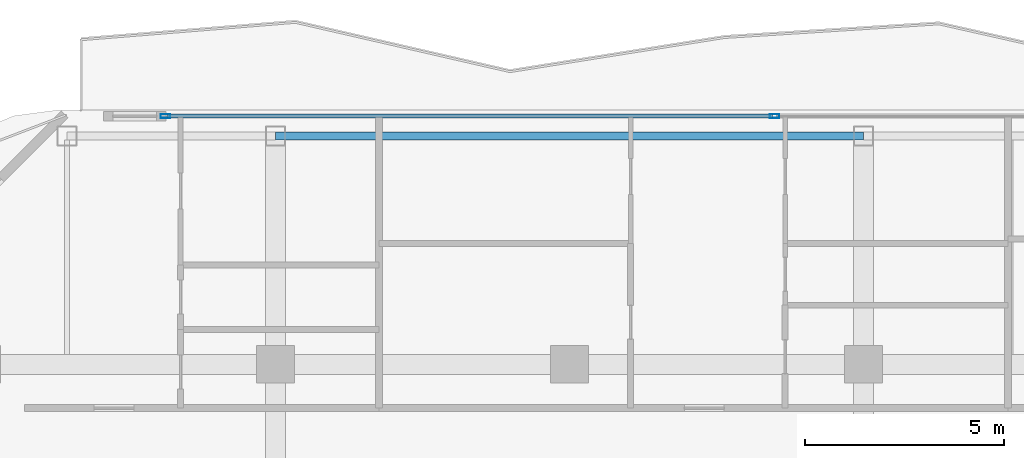
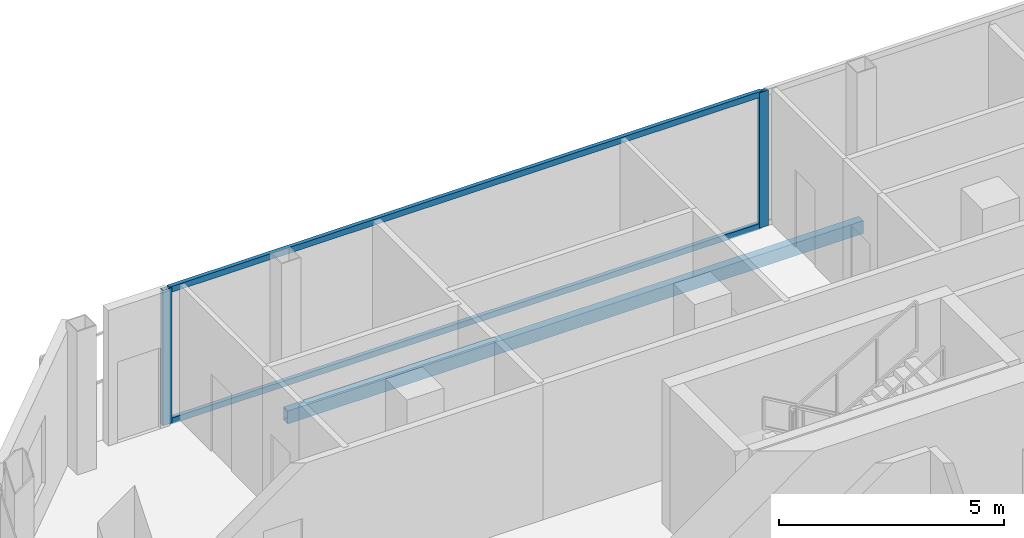
# One storey, part 14 of 25: 4 members, 1 beam, 1 element without a shape of its own.
"""IFC4 building model written with IfcOpenShell, lengths in metres."""

from ifc_helpers import new_model, si_unit, direction, frame, origin, origin_2d, place, context, subcontext, project, spatial, hollow_rectangle, extrude, material, layer, layer_set, material_profile, profile_set, type_object, element, aggregate, save


model = new_model("IFC4")

# Units and contexts
model_context = context("Model", 3, precision=1e-05, world=origin(), true_north=direction((0.0, 1.0)))
body_context = subcontext(model_context, "Body", "Model", "MODEL_VIEW")
ifc_project = project(units=[si_unit("LENGTHUNIT", "METRE"), si_unit("AREAUNIT", "SQUARE_METRE"), si_unit("VOLUMEUNIT", "CUBIC_METRE"), si_unit("PLANEANGLEUNIT", "RADIAN"), si_unit("MASSUNIT", "GRAM", prefix="KILO")], contexts=[model_context])

# Site, building, storey
site_placement = place(None, origin())
site = spatial("IfcSite", under=ifc_project, at=site_placement, CompositionType="ELEMENT")
building_placement = place(site_placement, origin())
building = spatial("IfcBuilding", under=site, at=building_placement, Name="Khorvyn Point Tower", CompositionType="ELEMENT")
storey_placement = place(building_placement, frame((0.0, 0.0, 254.699951171875)))
storey = spatial("IfcBuildingStorey", under=building, at=storey_placement, Name="L62", CompositionType="ELEMENT", Elevation=254.699951171875)

# Curtain wall, members
ifc_material_1 = material(Name="Anodised aluminium 6063-T6 and laminated Low-E glass", Category="aluminium")
ifc_layer = layer(ifc_material_1, 0.18994140625)
ifc_layer_set = layer_set([ifc_layer], Name="Stick-Built High-Wind Curtain Wall CW-SYS-04")
curtain_wall_type = type_object("IfcCurtainWallType", Name="Stick-Built High-Wind Curtain Wall CW-SYS-04", PredefinedType="NOTDEFINED", material=ifc_layer_set)
curtain_wall_placement = place(storey_placement, origin())
curtain_wall = element("IfcCurtainWall", 1, at=curtain_wall_placement, inside=storey, type_object=curtain_wall_type, Name="Curtain Wall", PredefinedType="NOTDEFINED")
ifc_material_2 = material(Name="Anodised aluminium 6063-T6", Category="aluminium")
ifc_material_profile_1 = material_profile(ifc_material_2, hollow_rectangle(XDim=0.10009765625, YDim=0.239990234375, WallThickness=0.0048828125, at=origin_2d()))
ifc_profile_set_1 = profile_set([ifc_material_profile_1], Name="Anodised aluminium 6063-T6 ALU-MUL-100x240")
member_type_1 = type_object("IfcMemberType", Name="Anodised Aluminium 6063-T6 Mullion ALU-MUL-100x240", PredefinedType="MULLION", material=ifc_profile_set_1)
member_1_placement = place(storey_placement, frame((-10.174072265625, 21.050048828125, 0.0), z_axis=(0.0, 0.0, 1.0), x_axis=(0.0, 1.0, 0.0)))
member_1 = element("IfcMember", 2, at=member_1_placement, type_object=member_type_1, Name="Transom", PredefinedType="MULLION", context=body_context, shape_type="SweptSolid", body=[
    extrude(hollow_rectangle(XDim=0.10009765625, YDim=0.239990234375, WallThickness=0.0048828125, at=origin_2d()), origin(), (0.0, 0.0, 1.0), 3.679931640625),
])
member_2_placement = place(storey_placement, frame((5.1630859375, 21.050048828125, 0.0), z_axis=(0.0, 0.0, 1.0), x_axis=(0.0, 1.0, 0.0)))
member_2 = element("IfcMember", 3, at=member_2_placement, type_object=member_type_1, Name="Transom", PredefinedType="MULLION", context=body_context, shape_type="SweptSolid", body=[
    extrude(hollow_rectangle(XDim=0.10009765625, YDim=0.239990234375, WallThickness=0.0048828125, at=origin_2d()), origin(), (0.0, 0.0, 1.0), 3.679931640625),
])
ifc_material_profile_2 = material_profile(ifc_material_2, hollow_rectangle(XDim=0.10009765625, YDim=0.159912109375, WallThickness=0.00439453125, at=origin_2d()))
ifc_profile_set_2 = profile_set([ifc_material_profile_2], Name="Anodised aluminium 6063-T6 ALU-TRN-100x160")
member_type_2 = type_object("IfcMemberType", Name="Anodised Aluminium 6063-T6 Transom ALU-TRN-100x160", PredefinedType="USERDEFINED", material=ifc_profile_set_2)
member_3_placement = place(storey_placement, frame((-10.1240234375, 21.050048828125, 0.050048828125), z_axis=(1.0, 0.0, 0.0), x_axis=(0.0, 1.0, 0.0)))
member_3 = element("IfcMember", 4, at=member_3_placement, type_object=member_type_2, Name="Transom", ObjectType="TRANSOM", PredefinedType="USERDEFINED", context=body_context, shape_type="SweptSolid", body=[
    extrude(hollow_rectangle(XDim=0.10009765625, YDim=0.159912109375, WallThickness=0.00439453125, at=origin_2d()), origin(), (0.0, 0.0, 1.0), 15.237060546875),
])
member_4_placement = place(storey_placement, frame((-10.1240234375, 21.050048828125, 3.630126953125), z_axis=(1.0, 0.0, 0.0), x_axis=(0.0, 1.0, 0.0)))
member_4 = element("IfcMember", 5, at=member_4_placement, type_object=member_type_2, Name="Transom", ObjectType="TRANSOM", PredefinedType="USERDEFINED", context=body_context, shape_type="SweptSolid", body=[
    extrude(hollow_rectangle(XDim=0.10009765625, YDim=0.159912109375, WallThickness=0.00439453125, at=origin_2d()), origin(), (0.0, 0.0, 1.0), 15.237060546875),
])
aggregate(curtain_wall, [member_1, member_2, member_3, member_4])

# Beam
ifc_material_3 = material(Name="Steel S355", Category="steel")
ifc_material_profile_3 = material_profile(ifc_material_3, hollow_rectangle(XDim=0.199951171875, YDim=0.35009765625, WallThickness=0.013916015625, at=origin_2d()))
ifc_profile_set_3 = profile_set([ifc_material_profile_3], Name="Steel S355 RHS350x200x14")
beam_type = type_object("IfcBeamType", Name="Steel S355 Spandrel RHS350x200x14", PredefinedType="SPANDREL", material=ifc_profile_set_3)
beam_placement = place(storey_placement, frame((-7.39990234375, 20.550048828125, -0.454833984375), z_axis=(1.0, 0.0, 0.0), x_axis=(0.0, 1.0, 0.0)))
element("IfcBeam", 6, at=beam_placement, inside=storey, type_object=beam_type, Name="Beam", PredefinedType="SPANDREL", context=body_context, shape_type="SweptSolid", body=[
    extrude(hollow_rectangle(XDim=0.199951171875, YDim=0.35009765625, WallThickness=0.013916015625, at=origin_2d()), origin(), (0.0, 0.0, 1.0), 14.7998046875),
])

save(model, "model.ifc")
